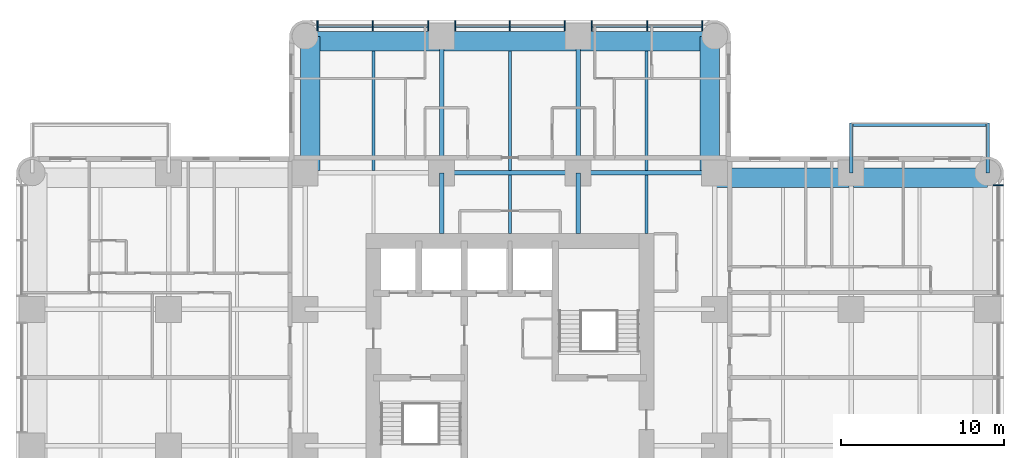
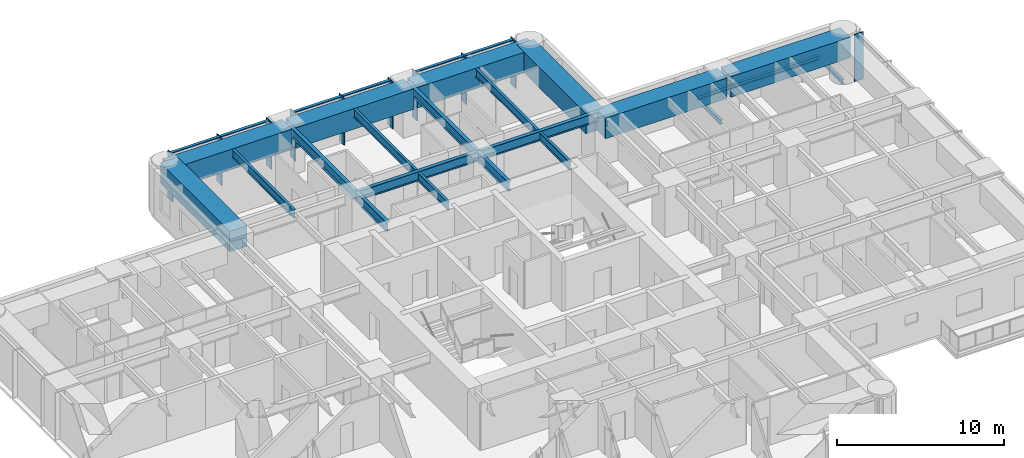
# One storey, part 4 of 14: 21 beams, 16 members, 2 elements without a shape of their own.
"""IFC4 building model written with IfcOpenShell, lengths in metres."""

from ifc_helpers import new_model, si_unit, direction, frame, origin, origin_2d, place, context, subcontext, project, spatial, rectangle, i_section, extrude, material, material_profile, profile_set, type_object, element, aggregate, save


model = new_model("IFC4")

# Units and contexts
model_context = context("Model", 3, precision=1e-05, world=origin(), true_north=direction((0.0, 1.0)))
body_context = subcontext(model_context, "Body", "Model", "MODEL_VIEW")
ifc_project = project(units=[si_unit("LENGTHUNIT", "METRE"), si_unit("AREAUNIT", "SQUARE_METRE"), si_unit("VOLUMEUNIT", "CUBIC_METRE"), si_unit("PLANEANGLEUNIT", "RADIAN"), si_unit("MASSUNIT", "GRAM", prefix="KILO")], contexts=[model_context])

# Site, building, storey
site_placement = place(None, origin())
site = spatial("IfcSite", under=ifc_project, at=site_placement, CompositionType="ELEMENT")
building_placement = place(site_placement, origin())
building = spatial("IfcBuilding", under=site, at=building_placement, Name="Torre Alcanfor", CompositionType="ELEMENT")
storey_placement = place(building_placement, frame((0.0, 0.0, 162.89990234375)))
storey = spatial("IfcBuildingStorey", under=building, at=storey_placement, Name="L42", CompositionType="ELEMENT", Elevation=162.89990234375)

# Beams
ifc_material_1 = material(Name="Steel ASTM A992 Grade 50", Category="steel")
ifc_material_profile_1 = material_profile(ifc_material_1, i_section(OverallWidth=0.205322265625, OverallDepth=0.309814453125, WebThickness=0.00927734375, FlangeThickness=0.016357421875, at=origin_2d()), Name="W12x50")
ifc_profile_set_1 = profile_set([ifc_material_profile_1], Name="Steel ASTM A992 Grade 50")
beam_type_1 = type_object("IfcBeamType", Name="Balcony cantilever beam W12x50", PredefinedType="BEAM", material=ifc_profile_set_1)
for number, where, z_axis, x_axis, name in (
    (1, (50.39990234375, 42.0, -0.354736328125), (0.0, 1.0, 0.0), (-1.0, 0.0, 0.0), "Balcony cantilever beam L42-E1 1"),
    (2, (58.800048828125, 42.0, -0.354736328125), (0.0, 1.0, 0.0), (-1.0, 0.0, 0.0), "Balcony cantilever beam L42-E1 2"),
):
    element("IfcBeam", number, at=place(storey_placement, frame(where, z_axis=z_axis, x_axis=x_axis)), inside=storey, type_object=beam_type_1, Name=name, PredefinedType="BEAM", context=body_context, shape_type="SweptSolid", body=[
        extrude(i_section(OverallWidth=0.205322265625, OverallDepth=0.309814453125, WebThickness=0.00927734375, FlangeThickness=0.016357421875, at=origin_2d()), origin(), (0.0, 0.0, 1.0), 3.050048828125),
    ])
ifc_material_2 = material(Name="Steel ASTM A992 Grade 50", Category="steel")
ifc_material_profile_2 = material_profile(ifc_material_2, i_section(OverallWidth=0.203369140625, OverallDepth=0.30224609375, WebThickness=0.007568359375, FlangeThickness=0.01318359375, at=origin_2d()), Name="W12x40")
ifc_profile_set_2 = profile_set([ifc_material_profile_2], Name="Steel ASTM A992 Grade 50")
beam_type_2 = type_object("IfcBeamType", Name="Balcony edge trimmer W12x40", PredefinedType="BEAM", material=ifc_profile_set_2)
beam_1_placement = place(storey_placement, frame((50.39990234375, 44.9482421875, -0.35107421875), z_axis=(1.0, 0.0, 0.0), x_axis=(0.0, 1.0, 0.0)))
element("IfcBeam", 3, at=beam_1_placement, inside=storey, type_object=beam_type_2, Name="Balcony edge trimmer L42-E1", PredefinedType="BEAM", context=body_context, shape_type="SweptSolid", body=[
    extrude(i_section(OverallWidth=0.203369140625, OverallDepth=0.30224609375, WebThickness=0.007568359375, FlangeThickness=0.01318359375, at=origin_2d()), origin(), (0.0, 0.0, 1.0), 8.400146484375),
])

# Curtain wall, member
ifc_material_3 = material(Name="Aluminium and glass", Category="aluminium")
curtain_wall_type = type_object("IfcCurtainWallType", Name="CW-A unitised apartment glazing with vertical FIN", PredefinedType="NOTDEFINED", material=ifc_material_3)
curtain_wall_1_placement = place(storey_placement, origin())
curtain_wall_1 = element("IfcCurtainWall", 4, at=curtain_wall_1_placement, inside=storey, type_object=curtain_wall_type, Name="Curtain wall CW-A L42 8", PredefinedType="NOTDEFINED")
ifc_material_4 = material(Name="Bronze anodised aluminium", Category="aluminium")
ifc_material_profile_3 = material_profile(ifc_material_4, rectangle(XDim=0.60009765625, YDim=0.06494140625, at=origin_2d()), Name="CW-A mullion 65x600")
ifc_profile_set_3 = profile_set([ifc_material_profile_3], Name="Bronze anodised aluminium")
member_type_1 = type_object("IfcMemberType", Name="CW-A mullion with vertical FIN 65x600", PredefinedType="MULLION", material=ifc_profile_set_3)
member_1_placement = place(storey_placement, frame((59.449951171875, 41.24267578125, 0.0), z_axis=(0.0, 0.0, 1.0), x_axis=(-1.0, 0.0, 0.0)))
member_1 = element("IfcMember", 5, at=member_1_placement, type_object=member_type_1, Name="CW-A mullion 3.3", PredefinedType="MULLION", context=body_context, shape_type="SweptSolid", body=[
    extrude(rectangle(XDim=0.60009765625, YDim=0.06494140625, at=origin_2d()), origin(), (0.0, 0.0, 1.0), 3.4501953125),
])
aggregate(curtain_wall_1, [member_1])

# Curtain wall, members
curtain_wall_2_placement = place(storey_placement, origin())
curtain_wall_2 = element("IfcCurtainWall", 6, at=curtain_wall_2_placement, inside=storey, type_object=curtain_wall_type, Name="Curtain wall CW-A L42 11", PredefinedType="NOTDEFINED")
member_2_placement = place(storey_placement, frame((41.24267578125, 51.050048828125, 0.0), z_axis=(0.0, 0.0, 1.0), x_axis=(0.0, -1.0, 0.0)))
member_2 = element("IfcMember", 7, at=member_2_placement, type_object=member_type_1, Name="CW-A mullion 1.1", PredefinedType="MULLION", context=body_context, shape_type="SweptSolid", body=[
    extrude(rectangle(XDim=0.60009765625, YDim=0.06494140625, at=origin_2d()), origin(), (0.0, 0.0, 1.0), 3.4501953125),
])
member_3_placement = place(storey_placement, frame((37.840087890625, 51.050048828125, 0.0), z_axis=(0.0, 0.0, 1.0), x_axis=(0.0, -1.0, 0.0)))
member_3 = element("IfcMember", 8, at=member_3_placement, type_object=member_type_1, Name="CW-A mullion 1.2", PredefinedType="MULLION", context=body_context, shape_type="SweptSolid", body=[
    extrude(rectangle(XDim=0.60009765625, YDim=0.06494140625, at=origin_2d()), origin(), (0.0, 0.0, 1.0), 3.4501953125),
])
member_4_placement = place(storey_placement, frame((34.4375, 51.050048828125, 0.0), z_axis=(0.0, 0.0, 1.0), x_axis=(0.0, -1.0, 0.0)))
member_4 = element("IfcMember", 9, at=member_4_placement, type_object=member_type_1, Name="CW-A mullion 1.3", PredefinedType="MULLION", context=body_context, shape_type="SweptSolid", body=[
    extrude(rectangle(XDim=0.60009765625, YDim=0.06494140625, at=origin_2d()), origin(), (0.0, 0.0, 1.0), 3.4501953125),
])
member_5_placement = place(storey_placement, frame((32.762451171875, 51.050048828125, 0.0), z_axis=(0.0, 0.0, 1.0), x_axis=(0.0, -1.0, 0.0)))
member_5 = element("IfcMember", 10, at=member_5_placement, type_object=member_type_1, Name="CW-A mullion 2.1", PredefinedType="MULLION", context=body_context, shape_type="SweptSolid", body=[
    extrude(rectangle(XDim=0.60009765625, YDim=0.06494140625, at=origin_2d()), origin(), (0.0, 0.0, 1.0), 3.4501953125),
])
member_6_placement = place(storey_placement, frame((29.39990234375, 51.050048828125, 0.0), z_axis=(0.0, 0.0, 1.0), x_axis=(0.0, -1.0, 0.0)))
member_6 = element("IfcMember", 11, at=member_6_placement, type_object=member_type_1, Name="CW-A mullion 2.2", PredefinedType="MULLION", context=body_context, shape_type="SweptSolid", body=[
    extrude(rectangle(XDim=0.60009765625, YDim=0.06494140625, at=origin_2d()), origin(), (0.0, 0.0, 1.0), 3.4501953125),
])
member_7_placement = place(storey_placement, frame((26.03759765625, 51.050048828125, 0.0), z_axis=(0.0, 0.0, 1.0), x_axis=(0.0, -1.0, 0.0)))
member_7 = element("IfcMember", 12, at=member_7_placement, type_object=member_type_1, Name="CW-A mullion 2.3", PredefinedType="MULLION", context=body_context, shape_type="SweptSolid", body=[
    extrude(rectangle(XDim=0.60009765625, YDim=0.06494140625, at=origin_2d()), origin(), (0.0, 0.0, 1.0), 3.4501953125),
])
member_8_placement = place(storey_placement, frame((24.362548828125, 51.050048828125, 0.0), z_axis=(0.0, 0.0, 1.0), x_axis=(0.0, -1.0, 0.0)))
member_8 = element("IfcMember", 13, at=member_8_placement, type_object=member_type_1, Name="CW-A mullion 3.1", PredefinedType="MULLION", context=body_context, shape_type="SweptSolid", body=[
    extrude(rectangle(XDim=0.60009765625, YDim=0.06494140625, at=origin_2d()), origin(), (0.0, 0.0, 1.0), 3.4501953125),
])
member_9_placement = place(storey_placement, frame((20.9599609375, 51.050048828125, 0.0), z_axis=(0.0, 0.0, 1.0), x_axis=(0.0, -1.0, 0.0)))
member_9 = element("IfcMember", 14, at=member_9_placement, type_object=member_type_1, Name="CW-A mullion 3.2", PredefinedType="MULLION", context=body_context, shape_type="SweptSolid", body=[
    extrude(rectangle(XDim=0.60009765625, YDim=0.06494140625, at=origin_2d()), origin(), (0.0, 0.0, 1.0), 3.4501953125),
])
member_10_placement = place(storey_placement, frame((17.557373046875, 51.050048828125, 0.0), z_axis=(0.0, 0.0, 1.0), x_axis=(0.0, -1.0, 0.0)))
member_10 = element("IfcMember", 15, at=member_10_placement, type_object=member_type_1, Name="CW-A mullion 3.3", PredefinedType="MULLION", context=body_context, shape_type="SweptSolid", body=[
    extrude(rectangle(XDim=0.60009765625, YDim=0.06494140625, at=origin_2d()), origin(), (0.0, 0.0, 1.0), 3.4501953125),
])
ifc_material_5 = material(Name="Extruded aluminium", Category="aluminium")
ifc_material_profile_4 = material_profile(ifc_material_5, rectangle(XDim=0.199951171875, YDim=0.06494140625, at=origin_2d()), Name="CW-A transom 200x65")
ifc_profile_set_4 = profile_set([ifc_material_profile_4], Name="Extruded aluminium")
member_type_2 = type_object("IfcMemberType", Name="CW-A transom 65x200", PredefinedType="USERDEFINED", material=ifc_profile_set_4)
member_11_placement = place(storey_placement, frame((41.210205078125, 51.050048828125, 3.41748046875), z_axis=(-1.0, 0.0, 0.0), x_axis=(0.0, -1.0, 0.0)))
member_11 = element("IfcMember", 16, at=member_11_placement, type_object=member_type_2, Name="CW-A transom 1.1.2", ObjectType="TRANSOM", PredefinedType="USERDEFINED", context=body_context, shape_type="SweptSolid", body=[
    extrude(rectangle(XDim=0.199951171875, YDim=0.06494140625, at=origin_2d()), origin(), (0.0, 0.0, 1.0), 3.337646484375),
])
member_12_placement = place(storey_placement, frame((37.8076171875, 51.050048828125, 3.41748046875), z_axis=(-1.0, 0.0, 0.0), x_axis=(0.0, -1.0, 0.0)))
member_12 = element("IfcMember", 17, at=member_12_placement, type_object=member_type_2, Name="CW-A transom 1.2.2", ObjectType="TRANSOM", PredefinedType="USERDEFINED", context=body_context, shape_type="SweptSolid", body=[
    extrude(rectangle(XDim=0.199951171875, YDim=0.06494140625, at=origin_2d()), origin(), (0.0, 0.0, 1.0), 3.337646484375),
])
member_13_placement = place(storey_placement, frame((32.72998046875, 51.050048828125, 3.41748046875), z_axis=(-1.0, 0.0, 0.0), x_axis=(0.0, -1.0, 0.0)))
member_13 = element("IfcMember", 18, at=member_13_placement, type_object=member_type_2, Name="CW-A transom 2.1.2", ObjectType="TRANSOM", PredefinedType="USERDEFINED", context=body_context, shape_type="SweptSolid", body=[
    extrude(rectangle(XDim=0.199951171875, YDim=0.06494140625, at=origin_2d()), origin(), (0.0, 0.0, 1.0), 3.29736328125),
])
member_14_placement = place(storey_placement, frame((29.367431640625, 51.050048828125, 3.41748046875), z_axis=(-1.0, 0.0, 0.0), x_axis=(0.0, -1.0, 0.0)))
member_14 = element("IfcMember", 19, at=member_14_placement, type_object=member_type_2, Name="CW-A transom 2.2.2", ObjectType="TRANSOM", PredefinedType="USERDEFINED", context=body_context, shape_type="SweptSolid", body=[
    extrude(rectangle(XDim=0.199951171875, YDim=0.06494140625, at=origin_2d()), origin(), (0.0, 0.0, 1.0), 3.29736328125),
])
member_15_placement = place(storey_placement, frame((24.330078125, 51.050048828125, 3.41748046875), z_axis=(-1.0, 0.0, 0.0), x_axis=(0.0, -1.0, 0.0)))
member_15 = element("IfcMember", 20, at=member_15_placement, type_object=member_type_2, Name="CW-A transom 3.1.2", ObjectType="TRANSOM", PredefinedType="USERDEFINED", context=body_context, shape_type="SweptSolid", body=[
    extrude(rectangle(XDim=0.199951171875, YDim=0.06494140625, at=origin_2d()), origin(), (0.0, 0.0, 1.0), 3.337646484375),
])
member_16_placement = place(storey_placement, frame((20.927490234375, 51.050048828125, 3.41748046875), z_axis=(-1.0, 0.0, 0.0), x_axis=(0.0, -1.0, 0.0)))
member_16 = element("IfcMember", 21, at=member_16_placement, type_object=member_type_2, Name="CW-A transom 3.2.2", ObjectType="TRANSOM", PredefinedType="USERDEFINED", context=body_context, shape_type="SweptSolid", body=[
    extrude(rectangle(XDim=0.199951171875, YDim=0.06494140625, at=origin_2d()), origin(), (0.0, 0.0, 1.0), 3.337646484375),
])
aggregate(curtain_wall_2, [member_2, member_3, member_4, member_11, member_12, member_5, member_6, member_7, member_13, member_14, member_8, member_9, member_10, member_15, member_16])

# Beams
ifc_material_6 = material(Name="Steel ASTM A992 Grade 50", Category="steel")
ifc_material_profile_5 = material_profile(ifc_material_6, i_section(OverallWidth=0.25390625, OverallDepth=0.683349609375, WebThickness=0.012451171875, FlangeThickness=0.01904296875, at=origin_2d()), Name="W27x94")
ifc_profile_set_5 = profile_set([ifc_material_profile_5], Name="Steel ASTM A992 Grade 50")
beam_type_3 = type_object("IfcBeamType", Name="Girder W27x94", PredefinedType="BEAM", material=ifc_profile_set_5)
beam_2_placement = place(storey_placement, frame((25.199951171875, 42.0, 3.1083984375), z_axis=(1.0, 0.0, 0.0), x_axis=(0.0, 1.0, 0.0)))
element("IfcBeam", 22, at=beam_2_placement, inside=storey, type_object=beam_type_3, Name="Beam 4H-5H under L43", PredefinedType="BEAM", context=body_context, shape_type="SweptSolid", body=[
    extrude(i_section(OverallWidth=0.25390625, OverallDepth=0.683349609375, WebThickness=0.012451171875, FlangeThickness=0.01904296875, at=origin_2d()), origin(), (0.0, 0.0, 1.0), 8.400146484375),
])
for number, where, z_axis, x_axis, name in (
    (23, (33.60009765625, 42.0, 3.1083984375), (1.0, 0.0, 0.0), (0.0, 1.0, 0.0), "Beam 5H-6H under L43"),
    (24, (25.199951171875, 42.0, 3.1083984375), (0.0, 1.0, 0.0), (-1.0, 0.0, 0.0), "Beam 4H-4J under L43"),
    (25, (33.60009765625, 42.0, 3.1083984375), (0.0, 1.0, 0.0), (-1.0, 0.0, 0.0), "Beam 5H-5J under L43"),
):
    element("IfcBeam", number, at=place(storey_placement, frame(where, z_axis=z_axis, x_axis=x_axis)), inside=storey, type_object=beam_type_3, Name=name, PredefinedType="BEAM", context=body_context, shape_type="SweptSolid", body=[
        extrude(i_section(OverallWidth=0.25390625, OverallDepth=0.683349609375, WebThickness=0.012451171875, FlangeThickness=0.01904296875, at=origin_2d()), origin(), (0.0, 0.0, 1.0), 8.39990234375),
    ])
ifc_material_7 = material(Name="Steel ASTM A992 Grade 50", Category="steel")
ifc_material_profile_6 = material_profile(ifc_material_7, i_section(OverallWidth=0.25390625, OverallDepth=0.683349609375, WebThickness=0.012451171875, FlangeThickness=0.01904296875, at=origin_2d()), Name="W27x94")
ifc_profile_set_6 = profile_set([ifc_material_profile_6], Name="Steel ASTM A992 Grade 50")
beam_type_4 = type_object("IfcBeamType", Name="Girder, part bay W27x94", PredefinedType="BEAM", material=ifc_profile_set_6)
for number, where, z_axis, x_axis, name in (
    (26, (25.199951171875, 42.0, 3.1083984375), (0.0, -1.0, 0.0), (1.0, 0.0, 0.0), "Beam 4H-438_25 under L43"),
    (27, (33.60009765625, 42.0, 3.1083984375), (0.0, -1.0, 0.0), (1.0, 0.0, 0.0), "Beam 5H-538_25 under L43"),
):
    element("IfcBeam", number, at=place(storey_placement, frame(where, z_axis=z_axis, x_axis=x_axis)), inside=storey, type_object=beam_type_4, Name=name, PredefinedType="BEAM", context=body_context, shape_type="SweptSolid", body=[
        extrude(i_section(OverallWidth=0.25390625, OverallDepth=0.683349609375, WebThickness=0.012451171875, FlangeThickness=0.01904296875, at=origin_2d()), origin(), (0.0, 0.0, 1.0), 3.75),
    ])
ifc_material_8 = material(Name="Concrete f'c 70 MPa", Category="concrete")
ifc_material_profile_7 = material_profile(ifc_material_8, rectangle(XDim=1.199951171875, YDim=1.5, at=origin_2d()), Name="1200x1500")
ifc_profile_set_7 = profile_set([ifc_material_profile_7], Name="Concrete f'c 70 MPa")
beam_type_5 = type_object("IfcBeamType", Name="RC perimeter beam 1200x1500", PredefinedType="BEAM", material=ifc_profile_set_7)
beam_3_placement = place(storey_placement, frame((41.873046875, 41.699951171875, 2.7001953125), z_axis=(1.0, 0.0, 0.0), x_axis=(0.0, 1.0, 0.0)))
element("IfcBeam", 28, at=beam_3_placement, inside=storey, type_object=beam_type_5, Name="Beam 6H-7H under L43", PredefinedType="BEAM", context=body_context, shape_type="SweptSolid", body=[
    extrude(rectangle(XDim=1.199951171875, YDim=1.5, at=origin_2d()), origin(), (0.0, 0.0, 1.0), 8.39990234375),
])
for number, where, z_axis, x_axis, name in (
    (29, (50.527099609375, 41.699951171875, 2.7001953125), (1.0, 0.0, 0.0), (0.0, 1.0, 0.0), "Beam 7H-8H under L43"),
    (30, (16.800048828125, 50.10009765625, 2.7001953125), (1.0, 0.0, 0.0), (0.0, 1.0, 0.0), "Beam 3J-4J under L43"),
):
    element("IfcBeam", number, at=place(storey_placement, frame(where, z_axis=z_axis, x_axis=x_axis)), inside=storey, type_object=beam_type_5, Name=name, PredefinedType="BEAM", context=body_context, shape_type="SweptSolid", body=[
        extrude(rectangle(XDim=1.199951171875, YDim=1.5, at=origin_2d()), origin(), (0.0, 0.0, 1.0), 8.27294921875),
    ])
beam_4_placement = place(storey_placement, frame((25.326904296875, 50.10009765625, 2.7001953125), z_axis=(1.0, 0.0, 0.0), x_axis=(0.0, 1.0, 0.0)))
element("IfcBeam", 31, at=beam_4_placement, inside=storey, type_object=beam_type_5, Name="Beam 4J-5J under L43", PredefinedType="BEAM", context=body_context, shape_type="SweptSolid", body=[
    extrude(rectangle(XDim=1.199951171875, YDim=1.5, at=origin_2d()), origin(), (0.0, 0.0, 1.0), 8.14599609375),
])
for number, where, z_axis, x_axis, name in (
    (32, (33.72705078125, 50.10009765625, 2.7001953125), (1.0, 0.0, 0.0), (0.0, 1.0, 0.0), "Beam 5J-6J under L43"),
    (33, (17.10009765625, 42.126953125, 2.7001953125), (0.0, 1.0, 0.0), (-1.0, 0.0, 0.0), "Beam 3H-3J under L43"),
    (34, (41.699951171875, 42.126953125, 2.7001953125), (0.0, 1.0, 0.0), (-1.0, 0.0, 0.0), "Beam 6H-6J under L43"),
):
    element("IfcBeam", number, at=place(storey_placement, frame(where, z_axis=z_axis, x_axis=x_axis)), inside=storey, type_object=beam_type_5, Name=name, PredefinedType="BEAM", context=body_context, shape_type="SweptSolid", body=[
        extrude(rectangle(XDim=1.199951171875, YDim=1.5, at=origin_2d()), origin(), (0.0, 0.0, 1.0), 8.27294921875),
    ])
ifc_material_9 = material(Name="Steel ASTM A992 Grade 50", Category="steel")
ifc_material_profile_8 = material_profile(ifc_material_9, i_section(OverallWidth=0.1787109375, OverallDepth=0.60205078125, WebThickness=0.010986328125, FlangeThickness=0.014892578125, at=origin_2d()), Name="W24x62")
ifc_profile_set_8 = profile_set([ifc_material_profile_8], Name="Steel ASTM A992 Grade 50")
beam_type_6 = type_object("IfcBeamType", Name="Secondary beam W24x62", PredefinedType="BEAM", material=ifc_profile_set_8)
for number, where, z_axis, x_axis, name in (
    (35, (21.0, 42.126953125, 3.149169921875), (0.0, 1.0, 0.0), (-1.0, 0.0, 0.0), "Beam 21H-21J under L43"),
    (36, (29.39990234375, 42.126953125, 3.149169921875), (0.0, 1.0, 0.0), (-1.0, 0.0, 0.0), "Beam 29_4H-29_4J under L43"),
    (37, (37.800048828125, 42.126953125, 3.149169921875), (0.0, 1.0, 0.0), (-1.0, 0.0, 0.0), "Beam 37_8H-37_8J under L43"),
):
    element("IfcBeam", number, at=place(storey_placement, frame(where, z_axis=z_axis, x_axis=x_axis)), inside=storey, type_object=beam_type_6, Name=name, PredefinedType="BEAM", context=body_context, shape_type="SweptSolid", body=[
        extrude(i_section(OverallWidth=0.1787109375, OverallDepth=0.60205078125, WebThickness=0.010986328125, FlangeThickness=0.014892578125, at=origin_2d()), origin(), (0.0, 0.0, 1.0), 7.373046875),
    ])
ifc_material_10 = material(Name="Steel ASTM A992 Grade 50", Category="steel")
ifc_material_profile_9 = material_profile(ifc_material_10, i_section(OverallWidth=0.1787109375, OverallDepth=0.60205078125, WebThickness=0.010986328125, FlangeThickness=0.014892578125, at=origin_2d()), Name="W24x62")
ifc_profile_set_9 = profile_set([ifc_material_profile_9], Name="Steel ASTM A992 Grade 50")
beam_type_7 = type_object("IfcBeamType", Name="Secondary beam, part bay W24x62", PredefinedType="BEAM", material=ifc_profile_set_9)
for number, where, z_axis, x_axis, name in (
    (38, (29.39990234375, 38.25, 3.149169921875), (0.0, 1.0, 0.0), (-1.0, 0.0, 0.0), "Beam 29_438_25-29_4H under L43"),
    (39, (37.800048828125, 38.25, 3.149169921875), (0.0, 1.0, 0.0), (-1.0, 0.0, 0.0), "Beam 37_838_25-37_8H under L43"),
):
    element("IfcBeam", number, at=place(storey_placement, frame(where, z_axis=z_axis, x_axis=x_axis)), inside=storey, type_object=beam_type_7, Name=name, PredefinedType="BEAM", context=body_context, shape_type="SweptSolid", body=[
        extrude(i_section(OverallWidth=0.1787109375, OverallDepth=0.60205078125, WebThickness=0.010986328125, FlangeThickness=0.014892578125, at=origin_2d()), origin(), (0.0, 0.0, 1.0), 3.623046875),
    ])

save(model, "model.ifc")
